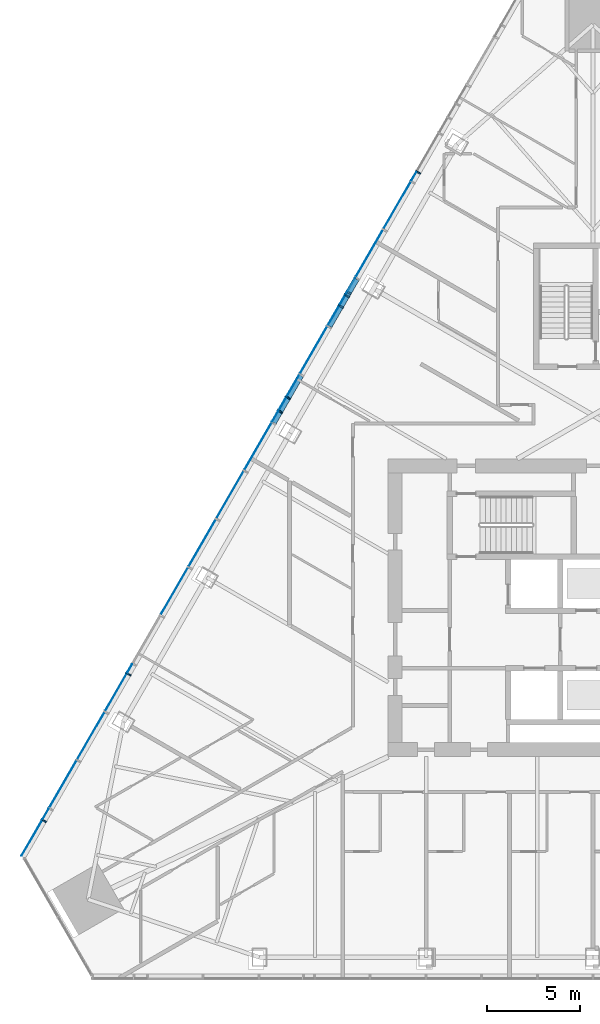
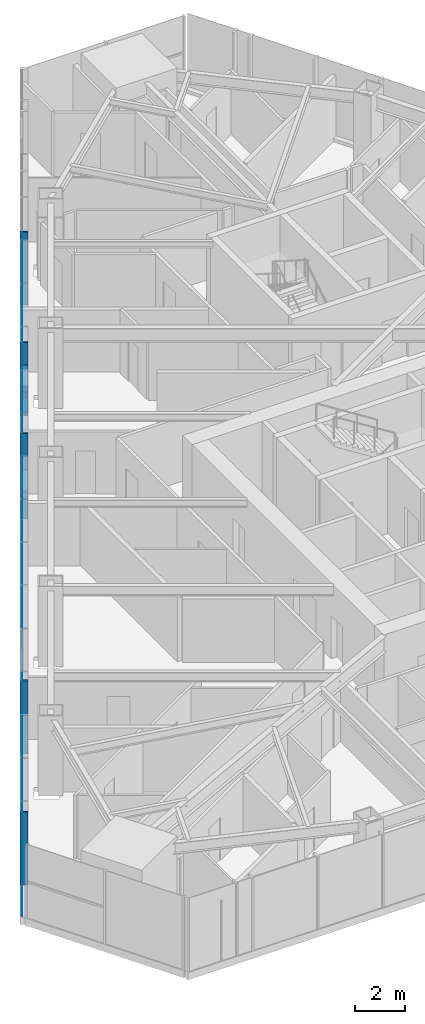
# One storey, part 6 of 21: 24 plates, 11 members, 2 openings, 1 element without a shape of its own.
"""IFC4 building model written with IfcOpenShell, lengths in metres."""

from ifc_helpers import new_model, si_unit, direction, frame, frame_2d, origin, origin_2d, place, context, subcontext, project, spatial, polyline, rectangle, outline, extrude, material, layer, layer_set, material_profile, profile_set, type_object, element, aggregate, save


model = new_model("IFC4")

# Units and contexts
model_context = context("Model", 3, precision=1e-05, world=origin(), true_north=direction((0.0, 1.0)))
body_context = subcontext(model_context, "Body", "Model", "MODEL_VIEW")
ifc_project = project(units=[si_unit("LENGTHUNIT", "METRE"), si_unit("AREAUNIT", "SQUARE_METRE"), si_unit("VOLUMEUNIT", "CUBIC_METRE"), si_unit("PLANEANGLEUNIT", "RADIAN"), si_unit("MASSUNIT", "GRAM", prefix="KILO")], contexts=[model_context])

# Site, building, storey
site_placement = place(None, origin())
site = spatial("IfcSite", under=ifc_project, at=site_placement, CompositionType="ELEMENT")
building_placement = place(site_placement, origin())
building = spatial("IfcBuilding", under=site, at=building_placement, Name="Firuza Gate Tower and Library", CompositionType="ELEMENT")
storey_placement = place(building_placement, frame((0.0, 0.0, 167.5)))
storey = spatial("IfcBuildingStorey", under=building, at=storey_placement, Name="L38", CompositionType="ELEMENT", Elevation=167.5)

# Curtain wall, openings, members, plates
ifc_material_1 = material(Name="Aluminium 6063-T6", Category="aluminium")
ifc_layer_1 = layer(ifc_material_1, 0.14990234375)
ifc_layer_set_1 = layer_set([ifc_layer_1], Name="Unitised curtain wall, hotel")
curtain_wall_type = type_object("IfcCurtainWallType", Name="Unitised curtain wall, hotel", PredefinedType="NOTDEFINED", material=ifc_layer_set_1)
curtain_wall_placement = place(storey_placement, origin())
curtain_wall = element("IfcCurtainWall", 1, at=curtain_wall_placement, inside=storey, type_object=curtain_wall_type, Name="CW2 L38 W face", PredefinedType="NOTDEFINED")
opening_1_placement = place(curtain_wall_placement, frame((69.693359375, 105.65771484375, 0.14990234375), z_axis=(0.0, 0.0, 1.0), x_axis=(-0.5, -0.866025, 0.0)))
element("IfcOpeningElement", 2, at=opening_1_placement, cuts=curtain_wall, Name="Opening WD1-005", PredefinedType="OPENING", context=body_context, shape_type="SweptSolid", body=[
    extrude(rectangle(XDim=2.912109375, YDim=3.550048828125, at=frame_2d((1.4560546875, 1.77490234375))), frame((0.0, 0.0849609375, 0.0), z_axis=(0.0, -1.0, 0.0), x_axis=(1.0, 0.0, 0.0)), (0.0, 0.0, 1.0), 0.169921875),
])
opening_2_placement = place(curtain_wall_placement, frame((51.74072265625, 74.5625, 0.14990234375), z_axis=(0.0, 0.0, 1.0), x_axis=(-0.5, -0.866025, 0.0)))
element("IfcOpeningElement", 3, at=opening_2_placement, cuts=curtain_wall, Name="Opening WD1-006", PredefinedType="OPENING", context=body_context, shape_type="SweptSolid", body=[
    extrude(rectangle(XDim=2.912109375, YDim=3.550048828125, at=frame_2d((1.4560546875, 1.77490234375))), frame((0.0, 0.0849609375, 0.0), z_axis=(0.0, -1.0, 0.0), x_axis=(1.0, 0.0, 0.0)), (0.0, 0.0, 1.0), 0.169921875),
])
ifc_material_2 = material(Name="Aluminium 6063-T6", Category="aluminium")
ifc_material_profile_1 = material_profile(ifc_material_2, rectangle(XDim=0.320068359375, YDim=0.080078125, at=origin_2d()))
ifc_profile_set_1 = profile_set([ifc_material_profile_1], Name="Aluminium 6063-T6")
member_type_1 = type_object("IfcMemberType", Name="Curtain wall mullion 80x320", PredefinedType="MULLION", material=ifc_profile_set_1)
member_1_placement = place(storey_placement, frame((65.599609375, 98.39697265625, 0.14990234375), z_axis=(0.0, 0.0, 1.0), x_axis=(0.866025403784, -0.5, 0.0)))
member_1 = element("IfcMember", 4, at=member_1_placement, type_object=member_type_1, Name="Mullion", PredefinedType="MULLION", context=body_context, shape_type="SweptSolid", body=[
    extrude(rectangle(XDim=0.320068359375, YDim=0.080078125, at=origin_2d()), origin(), (0.0, 0.0, 1.0), 3.550048828125),
])
member_2_placement = place(storey_placement, frame((61.867431640625, 91.9326171875, 0.14990234375), z_axis=(0.0, 0.0, 1.0), x_axis=(0.866025403784, -0.5, 0.0)))
member_2 = element("IfcMember", 5, at=member_2_placement, type_object=member_type_1, Name="Mullion", PredefinedType="MULLION", context=body_context, shape_type="SweptSolid", body=[
    extrude(rectangle(XDim=0.320068359375, YDim=0.080078125, at=origin_2d()), origin(), (0.0, 0.0, 1.0), 1.260009765625),
])
member_3_placement = place(storey_placement, frame((61.4404296875, 91.193115234375, 1.489990234375), z_axis=(0.0, 0.0, 1.0), x_axis=(0.866025403784, -0.5, 0.0)))
member_3 = element("IfcMember", 6, at=member_3_placement, type_object=member_type_1, Name="Mullion", PredefinedType="MULLION", context=body_context, shape_type="SweptSolid", body=[
    extrude(rectangle(XDim=0.320068359375, YDim=0.080078125, at=origin_2d()), origin(), (0.0, 0.0, 1.0), 1.044921875),
])
member_4_placement = place(storey_placement, frame((61.7685546875, 91.761474609375, 2.614990234375), z_axis=(0.0, 0.0, 1.0), x_axis=(0.866025403784, -0.5, 0.0)))
member_4 = element("IfcMember", 7, at=member_4_placement, type_object=member_type_1, Name="Mullion", PredefinedType="MULLION", context=body_context, shape_type="SweptSolid", body=[
    extrude(rectangle(XDim=0.320068359375, YDim=0.080078125, at=origin_2d()), origin(), (0.0, 0.0, 1.0), 1.0849609375),
])
member_5_placement = place(storey_placement, frame((58.18115234375, 85.5478515625, 0.14990234375), z_axis=(0.0, 0.0, 1.0), x_axis=(0.866025403784, -0.5, 0.0)))
member_5 = element("IfcMember", 8, at=member_5_placement, type_object=member_type_1, Name="Mullion", PredefinedType="MULLION", context=body_context, shape_type="SweptSolid", body=[
    extrude(rectangle(XDim=0.320068359375, YDim=0.080078125, at=origin_2d()), origin(), (0.0, 0.0, 1.0), 1.735107421875),
])
member_6_placement = place(storey_placement, frame((58.60791015625, 86.287109375, 1.965087890625), z_axis=(0.0, 0.0, 1.0), x_axis=(0.866025403784, -0.5, 0.0)))
member_6 = element("IfcMember", 9, at=member_6_placement, type_object=member_type_1, Name="Mullion", PredefinedType="MULLION", context=body_context, shape_type="SweptSolid", body=[
    extrude(rectangle(XDim=0.320068359375, YDim=0.080078125, at=origin_2d()), origin(), (0.0, 0.0, 1.0), 1.73486328125),
])
member_7_placement = place(storey_placement, frame((50.037353515625, 71.4423828125, 0.14990234375), z_axis=(0.0, 0.0, 1.0), x_axis=(0.866025403784, -0.5, 0.0)))
member_7 = element("IfcMember", 10, at=member_7_placement, type_object=member_type_1, Name="Mullion", PredefinedType="MULLION", context=body_context, shape_type="SweptSolid", body=[
    extrude(rectangle(XDim=0.320068359375, YDim=0.080078125, at=origin_2d()), origin(), (0.0, 0.0, 1.0), 3.550048828125),
])
member_8_placement = place(storey_placement, frame((45.4873046875, 63.5615234375, 0.14990234375), z_axis=(0.0, 0.0, 1.0), x_axis=(0.866025403784, -0.5, 0.0)))
member_8 = element("IfcMember", 11, at=member_8_placement, type_object=member_type_1, Name="Mullion", PredefinedType="MULLION", context=body_context, shape_type="SweptSolid", body=[
    extrude(rectangle(XDim=0.320068359375, YDim=0.080078125, at=origin_2d()), origin(), (0.0, 0.0, 1.0), 3.550048828125),
])
ifc_material_3 = material(Name="Aluminium 6063-T6", Category="aluminium")
ifc_material_profile_2 = material_profile(ifc_material_3, rectangle(XDim=0.320068359375, YDim=0.080078125, at=origin_2d()))
ifc_profile_set_2 = profile_set([ifc_material_profile_2], Name="Aluminium 6063-T6")
member_type_2 = type_object("IfcMemberType", Name="Curtain wall transom 80x320", PredefinedType="USERDEFINED", material=ifc_profile_set_2)
member_9_placement = place(storey_placement, frame((62.28662109375, 92.658935546875, 1.449951171875), z_axis=(-0.49999822179, -0.866026430432, 0.0), x_axis=(0.866026430432, -0.49999822179, 0.0)))
member_9 = element("IfcMember", 12, at=member_9_placement, type_object=member_type_2, Name="Transom", ObjectType="TRANSOM", PredefinedType="USERDEFINED", context=body_context, shape_type="SweptSolid", body=[
    extrude(rectangle(XDim=0.320068359375, YDim=0.080078125, at=origin_2d()), origin(), (0.0, 0.0, 1.0), 2.912109375),
])
member_10_placement = place(storey_placement, frame((62.28662109375, 92.658935546875, 2.574951171875), z_axis=(-0.49999822179, -0.866026430432, 0.0), x_axis=(0.866026430432, -0.49999822179, 0.0)))
member_10 = element("IfcMember", 13, at=member_10_placement, type_object=member_type_2, Name="Transom", ObjectType="TRANSOM", PredefinedType="USERDEFINED", context=body_context, shape_type="SweptSolid", body=[
    extrude(rectangle(XDim=0.320068359375, YDim=0.080078125, at=origin_2d()), origin(), (0.0, 0.0, 1.0), 2.912109375),
])
member_11_placement = place(storey_placement, frame((59.294677734375, 87.476318359375, 1.925048828125), z_axis=(-0.49999822179, -0.866026430432, 0.0), x_axis=(0.866026430432, -0.49999822179, 0.0)))
member_11 = element("IfcMember", 14, at=member_11_placement, type_object=member_type_2, Name="Transom", ObjectType="TRANSOM", PredefinedType="USERDEFINED", context=body_context, shape_type="SweptSolid", body=[
    extrude(rectangle(XDim=0.320068359375, YDim=0.080078125, at=origin_2d()), origin(), (0.0, 0.0, 1.0), 2.912109375),
])
ifc_material_4 = material(Name="Fritted glass", Category="glass")
ifc_layer_2 = layer(ifc_material_4, 0.030029296875)
ifc_layer_set_2 = layer_set([ifc_layer_2], Name="Fritted glass unit, hotel")
plate_type_1 = type_object("IfcPlateType", Name="Fritted glass unit, hotel", PredefinedType="CURTAIN_PANEL", material=ifc_layer_set_2)
plate_1_placement = place(storey_placement, frame((65.4931640625, 98.412353515625, 0.14990234375), z_axis=(-0.865842546269, 0.500316584844, 0.0), x_axis=(-0.500316584844, -0.865842546269, 0.0)))
plate_1 = element("IfcPlate", 15, at=plate_1_placement, type_object=plate_type_1, Name="Glass unit", PredefinedType="CURTAIN_PANEL", context=body_context, shape_type="SweptSolid", body=[
    extrude(outline(polyline([(0.0, 0.0), (0.5216423681143477, 0.0), (0.5216423681143477, 3.550048828125), (0.0, 3.550048828125), (0.0, 0.0)])), origin(), (0.0, 0.0, -1.0), 0.030029296875),
])
plate_2_placement = place(storey_placement, frame((65.192138671875, 97.891357421875, 0.14990234375), z_axis=(-0.866026430432, 0.49999822179, 0.0), x_axis=(-0.49999822179, -0.866026430432, 0.0)))
plate_2 = element("IfcPlate", 16, at=plate_2_placement, type_object=plate_type_1, Name="Glass unit", PredefinedType="CURTAIN_PANEL", context=body_context, shape_type="SweptSolid", body=[
    extrude(outline(polyline([(0.0, 0.0), (2.9121197317183585, 0.0), (2.9121197317183585, 3.550048828125), (0.0, 3.550048828125), (0.0, 0.0)])), origin(), (0.0, 0.0, -1.0), 0.030029296875),
])
plate_3_placement = place(storey_placement, frame((62.2001953125, 92.708740234375, 0.14990234375), z_axis=(-0.86597686456, 0.500084062979, 0.0), x_axis=(-0.500084062979, -0.86597686456, 0.0)))
plate_3 = element("IfcPlate", 17, at=plate_3_placement, type_object=plate_type_1, Name="Glass unit", PredefinedType="CURTAIN_PANEL", context=body_context, shape_type="SweptSolid", body=[
    extrude(outline(polyline([(0.0, 0.0), (0.798693843831583, 0.0), (0.798693843831583, 1.260009765625), (0.0, 1.260009765625), (0.0, 0.0)])), origin(), (0.0, 0.0, -1.0), 0.030029296875),
])
plate_4_placement = place(storey_placement, frame((61.333984375, 91.20849609375, 1.489990234375), z_axis=(-0.866044299327, 0.499967270532, 0.0), x_axis=(-0.499967270532, -0.866044299327, 0.0)))
plate_4 = element("IfcPlate", 18, at=plate_4_placement, type_object=plate_type_1, Name="Glass unit", PredefinedType="CURTAIN_PANEL", context=body_context, shape_type="SweptSolid", body=[
    extrude(outline(polyline([(0.0, 0.0), (1.1797647261447208, 0.0), (1.1797647261447208, 1.044921875), (0.0, 1.044921875), (0.0, 0.0)])), origin(), (0.0, 0.0, -1.0), 0.030029296875),
])
plate_5_placement = place(storey_placement, frame((61.662109375, 91.77685546875, 2.614990234375), z_axis=(-0.866041657848, 0.499971846079, 0.0), x_axis=(-0.499971846079, -0.866041657848, 0.0)))
plate_5 = element("IfcPlate", 19, at=plate_5_placement, type_object=plate_type_1, Name="Glass unit", PredefinedType="CURTAIN_PANEL", context=body_context, shape_type="SweptSolid", body=[
    extrude(outline(polyline([(0.0, 0.0), (1.8360408835014608, 0.0), (1.8360408835014608, 1.0849609374999998), (0.0, 1.0849609374999998), (0.0, 0.0)])), origin(), (0.0, 0.0, -1.0), 0.030029296875),
])
plate_6_placement = place(storey_placement, frame((60.7041015625, 90.11767578125, 0.14990234375), z_axis=(-0.866026430432, 0.49999822179, 0.0), x_axis=(-0.49999822179, -0.866026430432, 0.0)))
plate_6 = element("IfcPlate", 20, at=plate_6_placement, type_object=plate_type_1, Name="Glass unit", PredefinedType="CURTAIN_PANEL", context=body_context, shape_type="SweptSolid", body=[
    extrude(outline(polyline([(0.0, 0.0), (2.9121197317183585, 0.0), (2.9121197317183585, 3.550048828125), (0.0, 3.550048828125), (0.0, 0.0)])), origin(), (0.0, 0.0, -1.0), 0.030029296875),
])
plate_7_placement = place(storey_placement, frame((58.074462890625, 85.563232421875, 0.14990234375), z_axis=(-0.866116284689, 0.499842556608, 0.0), x_axis=(-0.499842556608, -0.866116284689, 0.0)))
plate_7 = element("IfcPlate", 21, at=plate_7_placement, type_object=plate_type_1, Name="Glass unit", PredefinedType="CURTAIN_PANEL", context=body_context, shape_type="SweptSolid", body=[
    extrude(outline(polyline([(0.0, 0.0), (0.6452227033526423, 0.0), (0.6452227033526423, 1.735107421875), (0.0, 1.735107421875), (0.0, 0.0)])), origin(), (0.0, 0.0, -1.0), 0.030029296875),
])
plate_8_placement = place(storey_placement, frame((59.2080078125, 87.5263671875, 1.965087890625), z_axis=(-0.86604835413, 0.499960246728, 0.0), x_axis=(-0.499960246728, -0.86604835413, 0.0)))
plate_8 = element("IfcPlate", 22, at=plate_8_placement, type_object=plate_type_1, Name="Glass unit", PredefinedType="CURTAIN_PANEL", context=body_context, shape_type="SweptSolid", body=[
    extrude(outline(polyline([(0.0, 0.0), (1.3331138037717993, 0.0), (1.3331138037717993, 1.73486328125), (0.0, 1.73486328125), (0.0, 0.0)])), origin(), (0.0, 0.0, -1.0), 0.030029296875),
])
plate_9_placement = place(storey_placement, frame((56.2158203125, 82.34375, 0.14990234375), z_axis=(-0.866026430432, 0.49999822179, 0.0), x_axis=(-0.49999822179, -0.866026430432, 0.0)))
plate_9 = element("IfcPlate", 23, at=plate_9_placement, type_object=plate_type_1, Name="Glass unit", PredefinedType="CURTAIN_PANEL", context=body_context, shape_type="SweptSolid", body=[
    extrude(outline(polyline([(0.0, 0.0), (2.9121197317183585, 0.0), (2.9121197317183585, 3.550048828125), (0.0, 3.550048828125), (0.0, 0.0)])), origin(), (0.0, 0.0, -1.0), 0.030029296875),
])
plate_10_placement = place(storey_placement, frame((50.231689453125, 71.978759765625, 0.14990234375), z_axis=(-0.865842546269, 0.500316584844, 0.0), x_axis=(-0.500316584844, -0.865842546269, 0.0)))
plate_10 = element("IfcPlate", 24, at=plate_10_placement, type_object=plate_type_1, Name="Glass unit", PredefinedType="CURTAIN_PANEL", context=body_context, shape_type="SweptSolid", body=[
    extrude(outline(polyline([(0.0, 0.0), (0.5216423681143477, 0.0), (0.5216423681143477, 3.550048828125), (0.0, 3.550048828125), (0.0, 0.0)])), origin(), (0.0, 0.0, -1.0), 0.030029296875),
])
plate_11_placement = place(storey_placement, frame((47.239501953125, 66.79638671875, 0.14990234375), z_axis=(-0.866026430432, 0.49999822179, 0.0), x_axis=(-0.49999822179, -0.866026430432, 0.0)))
plate_11 = element("IfcPlate", 25, at=plate_11_placement, type_object=plate_type_1, Name="Glass unit", PredefinedType="CURTAIN_PANEL", context=body_context, shape_type="SweptSolid", body=[
    extrude(outline(polyline([(0.0, 0.0), (2.9121197317183585, 0.0), (2.9121197317183585, 3.550048828125), (0.0, 3.550048828125), (0.0, 0.0)])), origin(), (0.0, 0.0, -1.0), 0.030029296875),
])
plate_12_placement = place(storey_placement, frame((45.743408203125, 64.205078125, 0.14990234375), z_axis=(-0.866116284689, 0.499842556608, 0.0), x_axis=(-0.499842556608, -0.866116284689, 0.0)))
plate_12 = element("IfcPlate", 26, at=plate_12_placement, type_object=plate_type_1, Name="Glass unit", PredefinedType="CURTAIN_PANEL", context=body_context, shape_type="SweptSolid", body=[
    extrude(outline(polyline([(0.0, 0.0), (0.6452227033526423, 0.0), (0.6452227033526423, 3.550048828125), (0.0, 3.550048828125), (0.0, 0.0)])), origin(), (0.0, 0.0, -1.0), 0.030029296875),
])
ifc_material_5 = material(Name="Glazed ceramic tile")
ifc_layer_3 = layer(ifc_material_5, 0.030029296875)
ifc_layer_set_3 = layer_set([ifc_layer_3], Name="Opaque ceramic panel, hotel")
plate_type_2 = type_object("IfcPlateType", Name="Opaque ceramic panel, hotel", PredefinedType="CURTAIN_PANEL", material=ifc_layer_set_3)
plate_13_placement = place(storey_placement, frame((63.6962890625, 95.300048828125, 0.14990234375), z_axis=(-0.866026430432, 0.49999822179, 0.0), x_axis=(-0.49999822179, -0.866026430432, 0.0)))
plate_13 = element("IfcPlate", 27, at=plate_13_placement, type_object=plate_type_2, Name="Opaque ceramic panel", PredefinedType="CURTAIN_PANEL", context=body_context, shape_type="SweptSolid", body=[
    extrude(outline(polyline([(0.0, 0.0), (2.9121197317183585, 0.0), (2.9121197317183585, 3.550048828125), (0.0, 3.550048828125), (0.0, 0.0)])), origin(), (0.0, 0.0, -1.0), 0.030029296875),
])
plate_14_placement = place(storey_placement, frame((61.7607421875, 91.947998046875, 0.14990234375), z_axis=(-0.86607763616, 0.499909519957, 0.0), x_axis=(-0.499909519957, -0.86607763616, 0.0)))
plate_14 = element("IfcPlate", 28, at=plate_14_placement, type_object=plate_type_2, Name="Opaque ceramic panel", PredefinedType="CURTAIN_PANEL", context=body_context, shape_type="SweptSolid", body=[
    extrude(outline(polyline([(0.0, 0.0), (2.0335711202047464, 0.0), (2.0335711202047464, 1.260009765625), (0.0, 1.260009765625), (0.0, 0.0)])), origin(), (0.0, 0.0, -1.0), 0.030029296875),
])
plate_15_placement = place(storey_placement, frame((62.2001953125, 92.708740234375, 1.489990234375), z_axis=(-0.866015801768, 0.500016630811, 0.0), x_axis=(-0.500016630811, -0.866015801768, 0.0)))
plate_15 = element("IfcPlate", 29, at=plate_15_placement, type_object=plate_type_2, Name="Opaque ceramic panel", PredefinedType="CURTAIN_PANEL", context=body_context, shape_type="SweptSolid", body=[
    extrude(outline(polyline([(0.0, 0.0), (1.6522887921944613, 0.0), (1.6522887921944613, 1.044921875), (0.0, 1.044921875), (0.0, 0.0)])), origin(), (0.0, 0.0, -1.0), 0.030029296875),
])
plate_16_placement = place(storey_placement, frame((62.2001953125, 92.708740234375, 2.614990234375), z_axis=(-0.866001893104, 0.500040719483, 0.0), x_axis=(-0.500040719483, -0.866001893104, 0.0)))
plate_16 = element("IfcPlate", 30, at=plate_16_placement, type_object=plate_type_2, Name="Opaque ceramic panel", PredefinedType="CURTAIN_PANEL", context=body_context, shape_type="SweptSolid", body=[
    extrude(outline(polyline([(0.0, 0.0), (0.996012635761754, 0.0), (0.996012635761754, 1.0849609375), (0.0, 1.0849609375), (0.0, 0.0)])), origin(), (0.0, 0.0, -1.0), 0.030029296875),
])
plate_17_placement = place(storey_placement, frame((59.2080078125, 87.5263671875, 0.14990234375), z_axis=(-0.866029434536, 0.499993018469, 0.0), x_axis=(-0.499993018469, -0.866029434536, 0.0)))
plate_17 = element("IfcPlate", 31, at=plate_17_placement, type_object=plate_type_2, Name="Opaque ceramic panel", PredefinedType="CURTAIN_PANEL", context=body_context, shape_type="SweptSolid", body=[
    extrude(outline(polyline([(0.0, 0.0), (2.187042256555362, 0.0), (2.187042256555362, 1.735107421875), (0.0, 1.735107421875), (0.0, 0.0)])), origin(), (0.0, 0.0, -1.0), 0.030029296875),
])
plate_18_placement = place(storey_placement, frame((58.50146484375, 86.302490234375, 1.965087890625), z_axis=(-0.866009279501, 0.500027927039, 0.0), x_axis=(-0.500027927039, -0.866009279501, 0.0)))
plate_18 = element("IfcPlate", 32, at=plate_18_placement, type_object=plate_type_2, Name="Opaque ceramic panel", PredefinedType="CURTAIN_PANEL", context=body_context, shape_type="SweptSolid", body=[
    extrude(outline(polyline([(0.0, 0.0), (1.4989397156040556, 0.0), (1.4989397156040556, 1.73486328125), (0.0, 1.73486328125), (0.0, 0.0)])), origin(), (0.0, 0.0, -1.0), 0.030029296875),
])
plate_19_placement = place(storey_placement, frame((57.7119140625, 84.93505859375, 0.14990234375), z_axis=(-0.866026430432, 0.49999822179, 0.0), x_axis=(-0.49999822179, -0.866026430432, 0.0)))
plate_19 = element("IfcPlate", 33, at=plate_19_placement, type_object=plate_type_2, Name="Opaque ceramic panel", PredefinedType="CURTAIN_PANEL", context=body_context, shape_type="SweptSolid", body=[
    extrude(outline(polyline([(0.0, 0.0), (2.9121197317183585, 0.0), (2.9121197317183585, 3.550048828125), (0.0, 3.550048828125), (0.0, 0.0)])), origin(), (0.0, 0.0, -1.0), 0.030029296875),
])
plate_20_placement = place(storey_placement, frame((54.7197265625, 79.752685546875, 0.14990234375), z_axis=(-0.866026430432, 0.49999822179, 0.0), x_axis=(-0.49999822179, -0.866026430432, 0.0)))
plate_20 = element("IfcPlate", 34, at=plate_20_placement, type_object=plate_type_2, Name="Opaque ceramic panel", PredefinedType="CURTAIN_PANEL", context=body_context, shape_type="SweptSolid", body=[
    extrude(outline(polyline([(0.0, 0.0), (2.9121197317183585, 0.0), (2.9121197317183585, 3.550048828125), (0.0, 3.550048828125), (0.0, 0.0)])), origin(), (0.0, 0.0, -1.0), 0.030029296875),
])
plate_21_placement = place(storey_placement, frame((53.223876953125, 77.161376953125, 0.14990234375), z_axis=(-0.865990127681, 0.500061095026, 0.0), x_axis=(-0.500061095026, -0.865990127681, 0.0)))
plate_21 = element("IfcPlate", 35, at=plate_21_placement, type_object=plate_type_2, Name="Opaque ceramic panel", PredefinedType="CURTAIN_PANEL", context=body_context, shape_type="SweptSolid", body=[
    extrude(outline(polyline([(0.0, 0.0), (2.912241809271842, 0.0), (2.912241809271842, 3.550048828125), (0.0, 3.550048828125), (0.0, 0.0)])), origin(), (0.0, 0.0, -1.0), 0.030029296875),
])
plate_22_placement = place(storey_placement, frame((49.930908203125, 71.457763671875, 0.14990234375), z_axis=(-0.86602370202, 0.50000294753, 0.0), x_axis=(-0.50000294753, -0.86602370202, 0.0)))
plate_22 = element("IfcPlate", 36, at=plate_22_placement, type_object=plate_type_2, Name="Opaque ceramic panel", PredefinedType="CURTAIN_PANEL", context=body_context, shape_type="SweptSolid", body=[
    extrude(outline(polyline([(0.0, 0.0), (2.310533254265643, 0.0), (2.310533254265643, 3.550048828125001), (0.0, 3.550048828125001), (0.0, 0.0)])), origin(), (0.0, 0.0, -1.0), 0.030029296875),
])
plate_23_placement = place(storey_placement, frame((48.735595703125, 69.387451171875, 0.14990234375), z_axis=(-0.866026430432, 0.49999822179, 0.0), x_axis=(-0.49999822179, -0.866026430432, 0.0)))
plate_23 = element("IfcPlate", 37, at=plate_23_placement, type_object=plate_type_2, Name="Opaque ceramic panel", PredefinedType="CURTAIN_PANEL", context=body_context, shape_type="SweptSolid", body=[
    extrude(outline(polyline([(0.0, 0.0), (2.9121197317183585, 0.0), (2.9121197317183585, 3.550048828125), (0.0, 3.550048828125), (0.0, 0.0)])), origin(), (0.0, 0.0, -1.0), 0.030029296875),
])
plate_24_placement = place(storey_placement, frame((45.380859375, 63.576904296875, 0.14990234375), z_axis=(-0.866001523642, 0.500041359339, 0.0), x_axis=(-0.500041359339, -0.866001523642, 0.0)))
plate_24 = element("IfcPlate", 38, at=plate_24_placement, type_object=plate_type_2, Name="Opaque ceramic panel", PredefinedType="CURTAIN_PANEL", context=body_context, shape_type="SweptSolid", body=[
    extrude(outline(polyline([(0.0, 0.0), (2.186830826994873, 0.0), (2.186830826994873, 3.550048828125), (0.0, 3.550048828125), (0.0, 0.0)])), origin(), (0.0, 0.0, -1.0), 0.030029296875),
])
aggregate(curtain_wall, [plate_1, member_1, plate_2, plate_13, plate_3, plate_14, plate_15, plate_4, plate_16, plate_5, member_2, member_3, member_4, member_9, member_10, plate_6, plate_17, plate_7, plate_8, plate_18, member_5, member_6, member_11, plate_19, plate_9, plate_20, plate_21, plate_10, plate_22, member_7, plate_23, plate_11, plate_12, plate_24, member_8])

save(model, "model.ifc")
